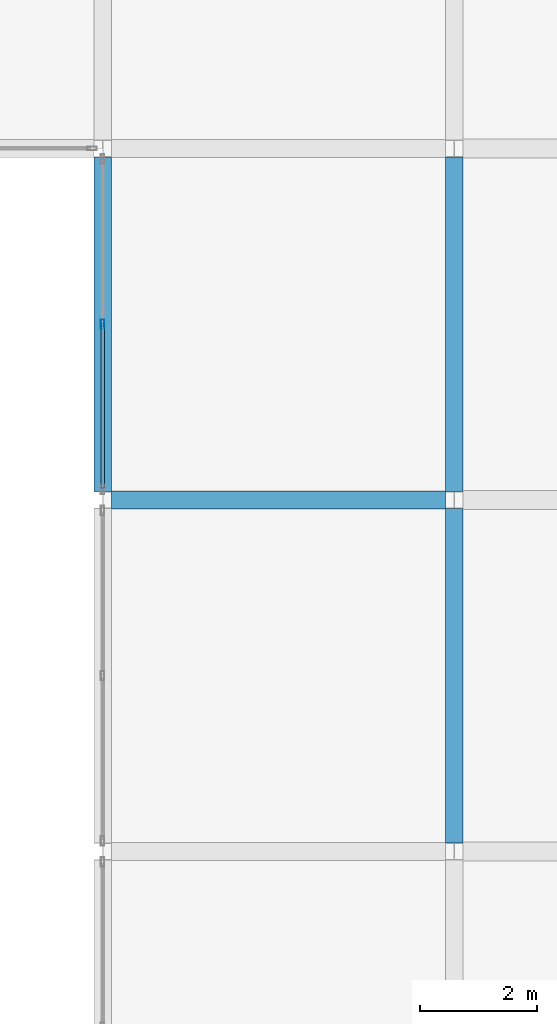
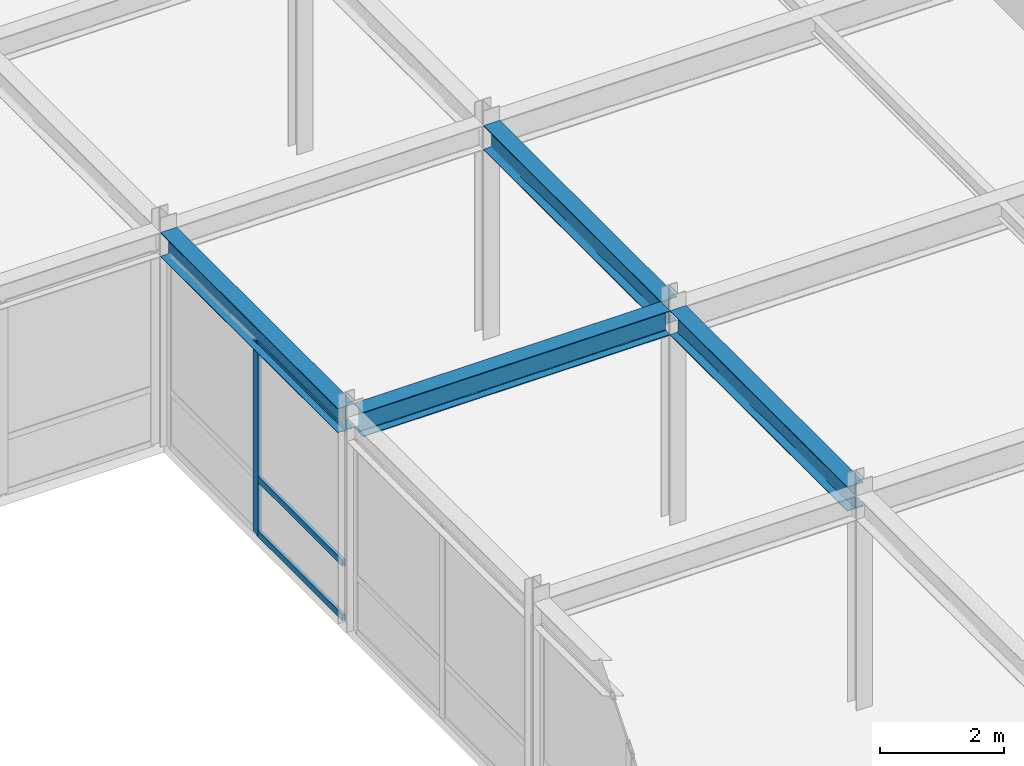
# One storey, part 87 of 108: 4 beams, 4 members, 1 element without a shape of its own.
"""IFC4 building model written with IfcOpenShell, lengths in metres."""

from ifc_helpers import new_model, si_unit, direction, frame, origin, origin_2d, place, context, subcontext, project, spatial, hollow_rectangle, i_section, extrude, material, layer, layer_set, material_profile, profile_set, type_object, element, aggregate, save


model = new_model("IFC4")

# Units and contexts
model_context = context("Model", 3, precision=1e-05, world=origin(), true_north=direction((0.0, 1.0)))
body_context = subcontext(model_context, "Body", "Model", "MODEL_VIEW")
ifc_project = project(units=[si_unit("LENGTHUNIT", "METRE"), si_unit("AREAUNIT", "SQUARE_METRE"), si_unit("VOLUMEUNIT", "CUBIC_METRE"), si_unit("PLANEANGLEUNIT", "RADIAN"), si_unit("MASSUNIT", "GRAM", prefix="KILO")], contexts=[model_context])

# Site, building, storey
site_placement = place(None, origin())
site = spatial("IfcSite", under=ifc_project, at=site_placement, CompositionType="ELEMENT")
building_placement = place(site_placement, origin())
building = spatial("IfcBuilding", under=site, at=building_placement, Name="Zlatovratsky Civic Hall", CompositionType="ELEMENT")
storey_placement = place(building_placement, frame((0.0, 0.0, 12.0)))
storey = spatial("IfcBuildingStorey", under=building, at=storey_placement, Name="L03", CompositionType="ELEMENT", Elevation=12.0)

# Beams
ifc_material_1 = material(Name="Steel S355", Category="steel")
ifc_material_profile_1 = material_profile(ifc_material_1, i_section(OverallWidth=0.300048828125, OverallDepth=0.48193359375, WebThickness=0.010986328125, FlangeThickness=0.014892578125, FilletRadius=0.02392578125, at=origin_2d()), Name="50Sh1")
ifc_profile_set_1 = profile_set([ifc_material_profile_1], Name="Steel S355")
beam_type = type_object("IfcBeamType", Name="Beam_LibraryGirder_50Sh1", PredefinedType="BEAM", material=ifc_profile_set_1)
beam_placement = place(storey_placement, frame((150.1494140625, 60.0, 3.97900390625), z_axis=(1.0, 0.0, 0.0), x_axis=(0.0, 1.0, 0.0)))
element("IfcBeam", 1, at=beam_placement, inside=storey, type_object=beam_type, Name="BM-2603", PredefinedType="BEAM", context=body_context, shape_type="SweptSolid", body=[
    extrude(i_section(OverallWidth=0.300048828125, OverallDepth=0.48193359375, WebThickness=0.010986328125, FlangeThickness=0.014892578125, FilletRadius=0.02392578125, at=origin_2d()), origin(), (0.0, 0.0, 1.0), 5.701171875),
])
for number, where, z_axis, x_axis, name in (
    (2, (150.0, 60.14794921875, 3.97900390625), (0.0, 1.0, 0.0), (-1.0, 0.0, 0.0), "BM-3077"),
    (3, (156.0, 54.14794921875, 3.97900390625), (0.0, 1.0, 0.0), (-1.0, 0.0, 0.0), "BM-3093"),
    (4, (156.0, 60.14794921875, 3.97900390625), (0.0, 1.0, 0.0), (-1.0, 0.0, 0.0), "BM-3094"),
):
    element("IfcBeam", number, at=place(storey_placement, frame(where, z_axis=z_axis, x_axis=x_axis)), inside=storey, type_object=beam_type, Name=name, PredefinedType="BEAM", context=body_context, shape_type="SweptSolid", body=[
        extrude(i_section(OverallWidth=0.300048828125, OverallDepth=0.48193359375, WebThickness=0.010986328125, FlangeThickness=0.014892578125, FilletRadius=0.02392578125, at=origin_2d()), origin(), (0.0, 0.0, 1.0), 5.7041015625),
    ])

# Curtain wall, members
ifc_material_2 = material(Name="Anodised bronze aluminium", Category="aluminium")
ifc_layer = layer(ifc_material_2, 0.159912109375)
ifc_layer_set = layer_set([ifc_layer], Name="Anodised bronze aluminium")
curtain_wall_type = type_object("IfcCurtainWallType", Name="CurtainWall_Bronze_5700x3770_12", PredefinedType="NOTDEFINED", material=ifc_layer_set)
curtain_wall_placement = place(storey_placement, origin())
curtain_wall = element("IfcCurtainWall", 5, at=curtain_wall_placement, inside=storey, type_object=curtain_wall_type, Name="CW-086", PredefinedType="NOTDEFINED")
ifc_material_profile_2 = material_profile(ifc_material_2, hollow_rectangle(XDim=0.06005859375, YDim=0.159912109375, WallThickness=0.00390625, at=origin_2d()), Name="ALU 60x160x4")
ifc_profile_set_2 = profile_set([ifc_material_profile_2], Name="Anodised bronze aluminium")
member_type_1 = type_object("IfcMemberType", Name="CW_Mullion_60x160", PredefinedType="MULLION", material=ifc_profile_set_2)
member_1_placement = place(storey_placement, frame((150.0, 63.0, 0.0), z_axis=(0.0, 0.0, 1.0), x_axis=(-1.0, 0.0, 0.0)))
member_1 = element("IfcMember", 6, at=member_1_placement, type_object=member_type_1, Name="CW-12 mullion 2", PredefinedType="MULLION", context=body_context, shape_type="SweptSolid", body=[
    extrude(hollow_rectangle(XDim=0.06005859375, YDim=0.159912109375, WallThickness=0.00390625, at=origin_2d()), origin(), (0.0, 0.0, 1.0), 3.77001953125),
])
ifc_material_profile_3 = material_profile(ifc_material_2, hollow_rectangle(XDim=0.06005859375, YDim=0.1201171875, WallThickness=0.00390625, at=origin_2d()), Name="ALU 60x120x4")
ifc_profile_set_3 = profile_set([ifc_material_profile_3], Name="Anodised bronze aluminium")
member_type_2 = type_object("IfcMemberType", Name="CW_Transom_60x120", PredefinedType="USERDEFINED", material=ifc_profile_set_3)
member_2_placement = place(storey_placement, frame((150.0, 60.2080078125, 0.030029296875), z_axis=(0.0, 1.0, 0.0), x_axis=(-1.0, 0.0, 0.0)))
member_2 = element("IfcMember", 7, at=member_2_placement, type_object=member_type_2, Name="CW-12 transom 1.1", ObjectType="TRANSOM", PredefinedType="USERDEFINED", context=body_context, shape_type="SweptSolid", body=[
    extrude(hollow_rectangle(XDim=0.06005859375, YDim=0.1201171875, WallThickness=0.00390625, at=origin_2d()), origin(), (0.0, 0.0, 1.0), 2.761962890625),
])
member_3_placement = place(storey_placement, frame((150.0, 60.2080078125, 1.10009765625), z_axis=(0.0, 1.0, 0.0), x_axis=(-1.0, 0.0, 0.0)))
member_3 = element("IfcMember", 8, at=member_3_placement, type_object=member_type_2, Name="CW-12 transom 1.2", ObjectType="TRANSOM", PredefinedType="USERDEFINED", context=body_context, shape_type="SweptSolid", body=[
    extrude(hollow_rectangle(XDim=0.06005859375, YDim=0.1201171875, WallThickness=0.00390625, at=origin_2d()), origin(), (0.0, 0.0, 1.0), 2.761962890625),
])
member_4_placement = place(storey_placement, frame((150.0, 60.2080078125, 3.739990234375), z_axis=(0.0, 1.0, 0.0), x_axis=(-1.0, 0.0, 0.0)))
member_4 = element("IfcMember", 9, at=member_4_placement, type_object=member_type_2, Name="CW-12 transom 1.3", ObjectType="TRANSOM", PredefinedType="USERDEFINED", context=body_context, shape_type="SweptSolid", body=[
    extrude(hollow_rectangle(XDim=0.06005859375, YDim=0.1201171875, WallThickness=0.00390625, at=origin_2d()), origin(), (0.0, 0.0, 1.0), 2.761962890625),
])
aggregate(curtain_wall, [member_1, member_2, member_3, member_4])

save(model, "model.ifc")
